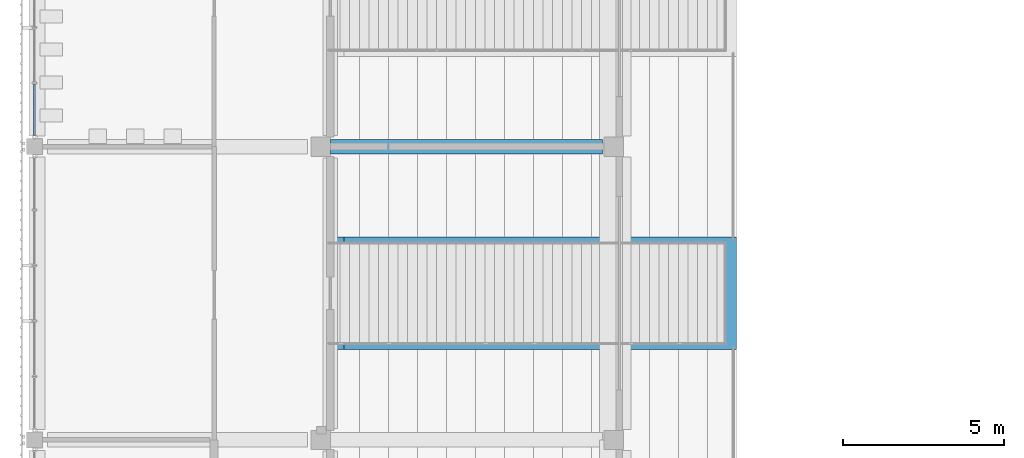
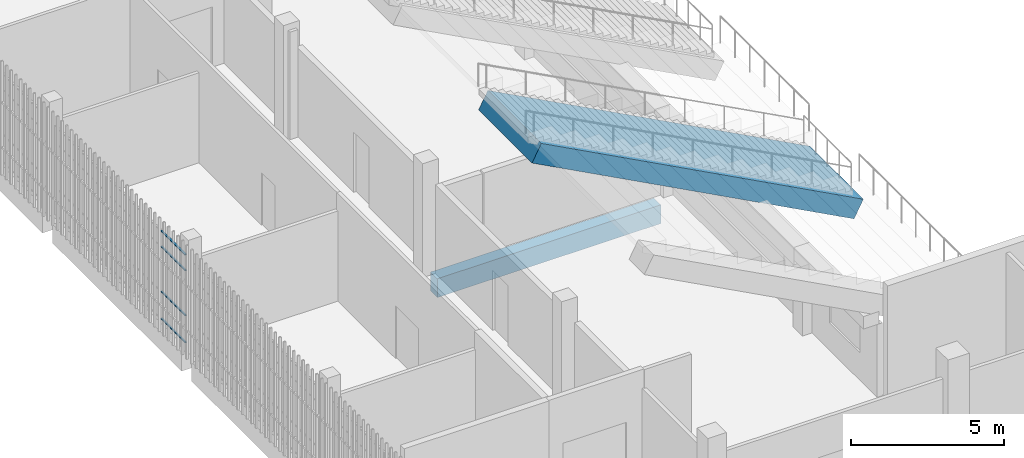
# One storey, part 19 of 139: 4 members, 2 beams, 1 element without a shape of its own.
"""IFC4 building model written with IfcOpenShell, lengths in metres."""

from ifc_helpers import new_model, si_unit, direction, frame, origin, origin_2d, place, context, subcontext, project, spatial, rectangle, hollow_rectangle, extrude, material, layer, layer_set, material_profile, profile_set, type_object, element, aggregate, save


model = new_model("IFC4")

# Units and contexts
model_context = context("Model", 3, precision=1e-05, world=origin(), true_north=direction((0.0, 1.0)))
body_context = subcontext(model_context, "Body", "Model", "MODEL_VIEW")
ifc_project = project(units=[si_unit("LENGTHUNIT", "METRE"), si_unit("AREAUNIT", "SQUARE_METRE"), si_unit("VOLUMEUNIT", "CUBIC_METRE"), si_unit("PLANEANGLEUNIT", "RADIAN"), si_unit("MASSUNIT", "GRAM", prefix="KILO")], contexts=[model_context])

# Site, building, storey
site_placement = place(None, origin())
site = spatial("IfcSite", under=ifc_project, at=site_placement, CompositionType="ELEMENT")
building_placement = place(site_placement, origin())
building = spatial("IfcBuilding", under=site, at=building_placement, Name="Shirokan Park Arena", CompositionType="ELEMENT")
storey_placement = place(building_placement, frame((0.0, 0.0, 15.469970703125)))
storey = spatial("IfcBuildingStorey", under=building, at=storey_placement, Name="L03", CompositionType="ELEMENT", Elevation=15.469970703125)

# Beams
ifc_material_1 = material(Name="Concrete C35", Category="concrete")
ifc_material_profile_1 = material_profile(ifc_material_1, rectangle(XDim=0.449951171875, YDim=0.75, at=origin_2d()), Name="450x750")
ifc_profile_set_1 = profile_set([ifc_material_profile_1], Name="Concrete C35")
beam_type_1 = type_object("IfcBeamType", Name="RC girder 450x750", PredefinedType="BEAM", material=ifc_profile_set_1)
beam_1_placement = place(storey_placement, frame((9.10009765625, 54.60009765625, -0.675048828125), z_axis=(1.0, 0.0, 0.0), x_axis=(0.0, 1.0, 0.0)))
element("IfcBeam", 1, at=beam_1_placement, inside=storey, type_object=beam_type_1, Name="Girder 2G-3G L03", PredefinedType="BEAM", context=body_context, shape_type="SweptSolid", body=[
    extrude(rectangle(XDim=0.449951171875, YDim=0.75, at=origin_2d()), origin(), (0.0, 0.0, 1.0), 8.44970703125),
])
ifc_material_profile_2 = material_profile(ifc_material_1, rectangle(XDim=3.5, YDim=0.75, at=origin_2d()), Name="3500x750")
ifc_profile_set_2 = profile_set([ifc_material_profile_2], Name="Concrete C35")
beam_type_2 = type_object("IfcBeamType", Name="RC raker 3500x750", PredefinedType="USERDEFINED", material=ifc_profile_set_2)
beam_2_placement = place(storey_placement, frame((21.5234375, 50.050048828125, 1.822509765625), z_axis=(-0.882353431028, 0.0, 0.470587316821), x_axis=(0.0, -1.0, 0.0)))
element("IfcBeam", 2, at=beam_2_placement, inside=storey, type_object=beam_type_2, Name="Raker upper W 1", ObjectType="RAKER BEAM", PredefinedType="USERDEFINED", context=body_context, shape_type="SweptSolid", body=[
    extrude(rectangle(XDim=3.5, YDim=0.75, at=origin_2d()), origin(), (0.0, 0.0, 1.0), 13.79638671875),
])

# Curtain wall, members
ifc_material_2 = material(Name="Steel and glass curtain wall", Category="steel")
ifc_layer = layer(ifc_material_2, 0.14990234375)
ifc_layer_set = layer_set([ifc_layer], Name="Steel and glass curtain wall 150 mm")
curtain_wall_type = type_object("IfcCurtainWallType", Name="Curtain wall exposed bay 150", PredefinedType="NOTDEFINED", material=ifc_layer_set)
curtain_wall_placement = place(storey_placement, origin())
curtain_wall = element("IfcCurtainWall", 3, at=curtain_wall_placement, inside=storey, type_object=curtain_wall_type, Name="Curtain wall west bay 6 L03", PredefinedType="NOTDEFINED")
ifc_material_3 = material(Name="Steel S355", Category="steel")
ifc_material_profile_3 = material_profile(ifc_material_3, hollow_rectangle(XDim=0.06005859375, YDim=0.0400390625, WallThickness=0.00390625, at=origin_2d()), Name="RHS 60x40x4")
ifc_profile_set_3 = profile_set([ifc_material_profile_3], Name="Steel S355")
member_type = type_object("IfcMemberType", Name="Transom RHS 60x40x4", PredefinedType="MULLION", material=ifc_profile_set_3)
member_1_placement = place(storey_placement, frame((-0.074951171875, 56.544921875, 0.02001953125), z_axis=(0.0, -1.0, 0.0), x_axis=(1.0, 0.0, 0.0)))
member_1 = element("IfcMember", 4, at=member_1_placement, type_object=member_type, Name="CW1 transom 5.1", PredefinedType="MULLION", context=body_context, shape_type="SweptSolid", body=[
    extrude(hollow_rectangle(XDim=0.06005859375, YDim=0.0400390625, WallThickness=0.00390625, at=origin_2d()), origin(), (0.0, 0.0, 1.0), 1.594970703125),
])
member_2_placement = place(storey_placement, frame((-0.074951171875, 56.544921875, 1.10009765625), z_axis=(0.0, -1.0, 0.0), x_axis=(1.0, 0.0, 0.0)))
member_2 = element("IfcMember", 5, at=member_2_placement, type_object=member_type, Name="CW1 transom 5.2", PredefinedType="MULLION", context=body_context, shape_type="SweptSolid", body=[
    extrude(hollow_rectangle(XDim=0.06005859375, YDim=0.0400390625, WallThickness=0.00390625, at=origin_2d()), origin(), (0.0, 0.0, 1.0), 1.594970703125),
])
member_3_placement = place(storey_placement, frame((-0.074951171875, 56.544921875, 2.900146484375), z_axis=(0.0, -1.0, 0.0), x_axis=(1.0, 0.0, 0.0)))
member_3 = element("IfcMember", 6, at=member_3_placement, type_object=member_type, Name="CW1 transom 5.3", PredefinedType="MULLION", context=body_context, shape_type="SweptSolid", body=[
    extrude(hollow_rectangle(XDim=0.06005859375, YDim=0.0400390625, WallThickness=0.00390625, at=origin_2d()), origin(), (0.0, 0.0, 1.0), 1.594970703125),
])
member_4_placement = place(storey_placement, frame((-0.074951171875, 56.544921875, 3.530029296875), z_axis=(0.0, -1.0, 0.0), x_axis=(1.0, 0.0, 0.0)))
member_4 = element("IfcMember", 7, at=member_4_placement, type_object=member_type, Name="CW1 transom 5.4", PredefinedType="MULLION", context=body_context, shape_type="SweptSolid", body=[
    extrude(hollow_rectangle(XDim=0.06005859375, YDim=0.0400390625, WallThickness=0.00390625, at=origin_2d()), origin(), (0.0, 0.0, 1.0), 1.594970703125),
])
aggregate(curtain_wall, [member_1, member_2, member_3, member_4])

save(model, "model.ifc")
